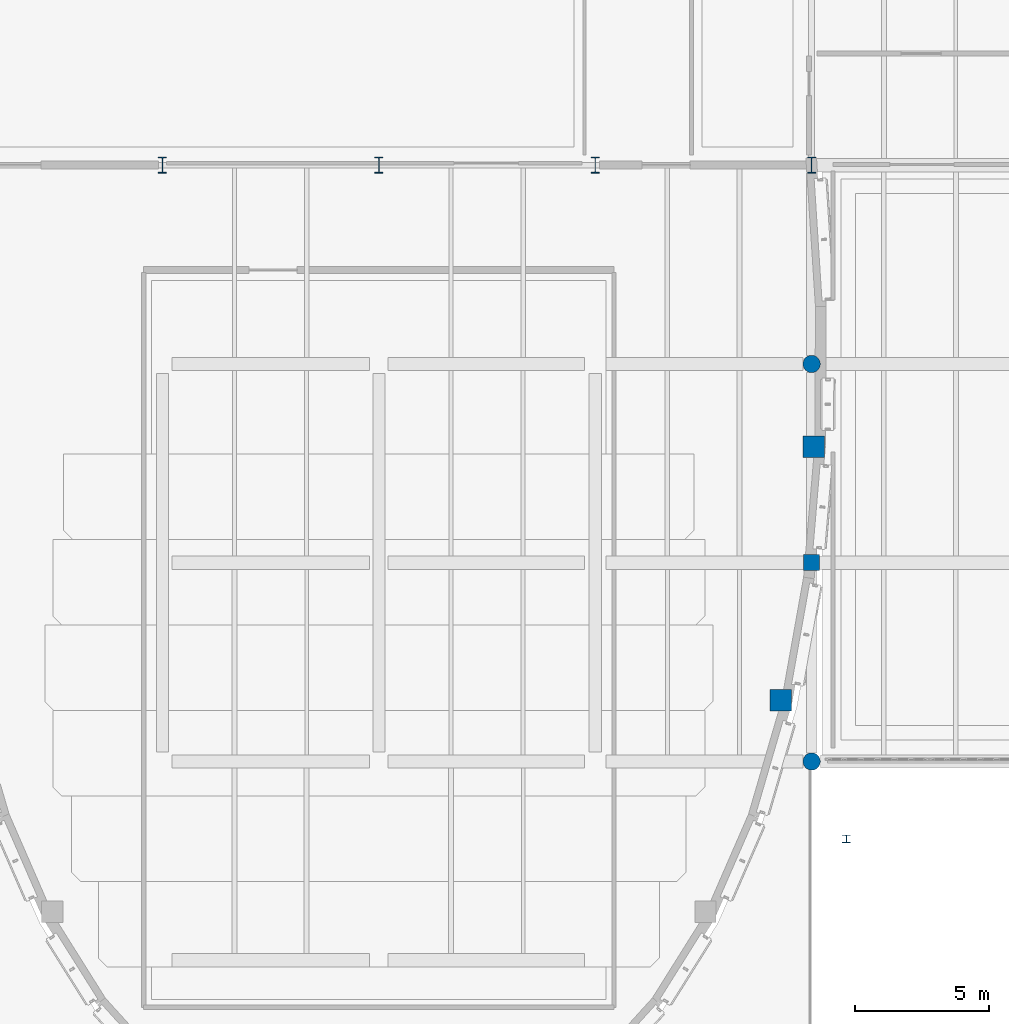
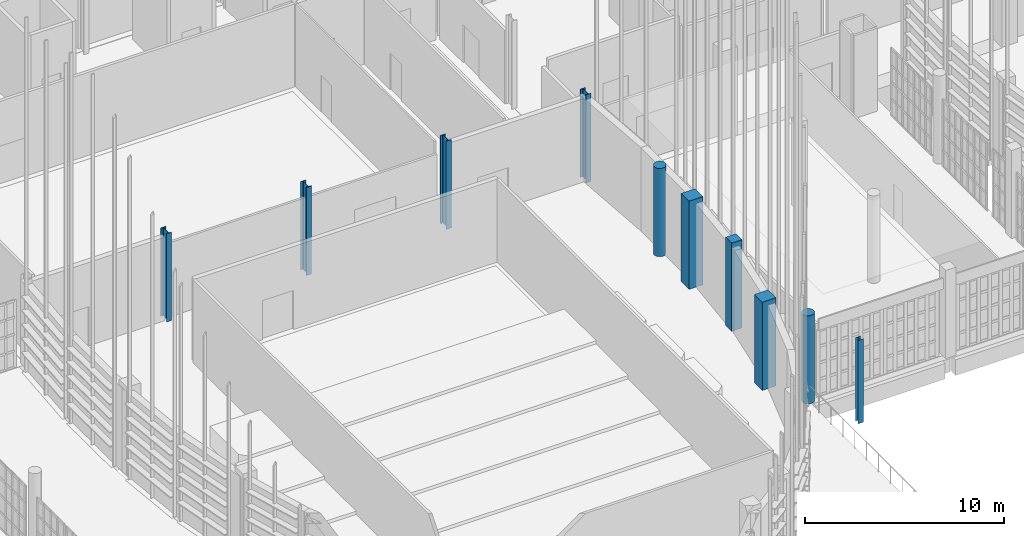
# One storey, part 3 of 372: 10 columns.
"""IFC4 building model written with IfcOpenShell, lengths in metres."""

from ifc_helpers import new_model, si_unit, direction, frame, origin, origin_2d, place, context, subcontext, project, spatial, rectangle, circle, i_section, extrude, material, material_profile, profile_set, type_object, element, save


model = new_model("IFC4")

# Units and contexts
model_context = context("Model", 3, precision=1e-05, world=origin(), true_north=direction((0.0, 1.0)))
body_context = subcontext(model_context, "Body", "Model", "MODEL_VIEW")
ifc_project = project(units=[si_unit("LENGTHUNIT", "METRE"), si_unit("AREAUNIT", "SQUARE_METRE"), si_unit("VOLUMEUNIT", "CUBIC_METRE"), si_unit("PLANEANGLEUNIT", "RADIAN"), si_unit("MASSUNIT", "GRAM", prefix="KILO")], contexts=[model_context])

# Site, building, storey
site_placement = place(None, origin())
site = spatial("IfcSite", under=ifc_project, at=site_placement, CompositionType="ELEMENT")
building_placement = place(site_placement, origin())
building = spatial("IfcBuilding", under=site, at=building_placement, Name="Kaelora Sail Theatre", CompositionType="ELEMENT")
storey_placement = place(building_placement, origin())
storey = spatial("IfcBuildingStorey", under=building, at=storey_placement, Name="L00", CompositionType="ELEMENT", Elevation=0.0)

# Columns
ifc_material_1 = material(Name="Steel S355", Category="steel")
ifc_material_profile_1 = material_profile(ifc_material_1, i_section(OverallWidth=0.300048828125, OverallDepth=0.2900390625, WebThickness=0.008544921875, FlangeThickness=0.013916015625, FilletRadius=0.027099609375, at=origin_2d()), Name="HEA 300")
ifc_profile_set_1 = profile_set([ifc_material_profile_1], Name="Steel S355")
column_type_1 = type_object("IfcColumnType", Name="STR-COL-C-HEA300", PredefinedType="COLUMN", material=ifc_profile_set_1)
column_1_placement = place(storey_placement, frame((59.5, 35.800048828125, 0.0), z_axis=(0.0, 0.0, 1.0), x_axis=(1.0, 0.0, 0.0)))
element("IfcColumn", 1, at=column_1_placement, inside=storey, type_object=column_type_1, Name="Entrance canopy colonnade column W", PredefinedType="COLUMN", context=body_context, shape_type="SweptSolid", body=[
    extrude(i_section(OverallWidth=0.300048828125, OverallDepth=0.2900390625, WebThickness=0.008544921875, FlangeThickness=0.013916015625, FilletRadius=0.027099609375, at=origin_2d()), origin(), (0.0, 0.0, 1.0), 5.10498046875),
])
ifc_material_2 = material(Name="Steel S355", Category="steel")
ifc_material_profile_2 = material_profile(ifc_material_2, i_section(OverallWidth=0.300048828125, OverallDepth=0.60009765625, WebThickness=0.015380859375, FlangeThickness=0.030029296875, FilletRadius=0.027099609375, at=origin_2d()), Name="HEB 600")
ifc_profile_set_2 = profile_set([ifc_material_profile_2], Name="Steel S355")
column_type_2 = type_object("IfcColumnType", Name="STR-COL-C-HEB600", PredefinedType="COLUMN", material=ifc_profile_set_2)
for number, where, z_axis, x_axis, name in (
    (2, (33.89990234375, 61.02001953125, 0.0), (0.0, 0.0, 1.0), (1.0, 0.0, 0.0), "Column 5/I (L00)"),
    (3, (42.0, 61.02001953125, 0.0), (0.0, 0.0, 1.0), (1.0, 0.0, 0.0), "Column 6/I (L00)"),
    (4, (50.10009765625, 61.02001953125, 0.0), (0.0, 0.0, 1.0), (1.0, 0.0, 0.0), "Column 7/I (L00)"),
    (5, (58.199951171875, 61.02001953125, 0.0), (0.0, 0.0, 1.0), (1.0, 0.0, 0.0), "Column 8/I (L00)"),
):
    element("IfcColumn", number, at=place(storey_placement, frame(where, z_axis=z_axis, x_axis=x_axis)), inside=storey, type_object=column_type_2, Name=name, PredefinedType="COLUMN", context=body_context, shape_type="SweptSolid", body=[
        extrude(i_section(OverallWidth=0.300048828125, OverallDepth=0.60009765625, WebThickness=0.015380859375, FlangeThickness=0.030029296875, FilletRadius=0.027099609375, at=origin_2d()), origin(), (0.0, 0.0, 1.0), 5.39990234375),
    ])
ifc_material_3 = material(Name="Concrete C40/50", Category="concrete")
ifc_material_profile_3 = material_profile(ifc_material_3, rectangle(XDim=0.60009765625, YDim=0.60009765625, at=origin_2d()), Name="RC-COL 600x600")
ifc_profile_set_3 = profile_set([ifc_material_profile_3], Name="Concrete C40/50")
column_type_3 = type_object("IfcColumnType", Name="STR-COL-C-RC600", PredefinedType="COLUMN", material=ifc_profile_set_3)
column_2_placement = place(storey_placement, frame((58.199951171875, 46.139892578125, 0.0), z_axis=(0.0, 0.0, 1.0), x_axis=(1.0, 0.0, 0.0)))
element("IfcColumn", 6, at=column_2_placement, inside=storey, type_object=column_type_3, Name="Column 8/G (L00)", PredefinedType="COLUMN", context=body_context, shape_type="SweptSolid", body=[
    extrude(rectangle(XDim=0.60009765625, YDim=0.60009765625, at=origin_2d()), origin(), (0.0, 0.0, 1.0), 5.39990234375),
])
ifc_material_4 = material(Name="Concrete C50/60", Category="concrete")
ifc_material_profile_4 = material_profile(ifc_material_4, rectangle(XDim=0.800048828125, YDim=0.800048828125, at=origin_2d()), Name="RC-COL 800x800")
ifc_profile_set_4 = profile_set([ifc_material_profile_4], Name="Concrete C50/60")
column_type_4 = type_object("IfcColumnType", Name="STR-COL-C-RC800", PredefinedType="COLUMN", material=ifc_profile_set_4)
for number, where, z_axis, x_axis, name in (
    (7, (58.28369140625, 50.482421875, 0.0), (0.0, 0.0, 1.0), (1.0, 0.0, 0.0), "Main drum perimeter column MK02 (L00)"),
    (8, (57.040283203125, 40.99072265625, 0.0), (0.0, 0.0, 1.0), (1.0, 0.0, 0.0), "Main drum perimeter column MK04 (L00)"),
):
    element("IfcColumn", number, at=place(storey_placement, frame(where, z_axis=z_axis, x_axis=x_axis)), inside=storey, type_object=column_type_4, Name=name, PredefinedType="COLUMN", context=body_context, shape_type="SweptSolid", body=[
        extrude(rectangle(XDim=0.800048828125, YDim=0.800048828125, at=origin_2d()), origin(), (0.0, 0.0, 1.0), 5.39990234375),
    ])
ifc_material_5 = material(Name="Concrete C45/55", Category="concrete")
ifc_material_profile_5 = material_profile(ifc_material_5, circle(Radius=0.324951171875, at=origin_2d()), Name="RC-CCOL D650")
ifc_profile_set_5 = profile_set([ifc_material_profile_5], Name="Concrete C45/55")
column_type_5 = type_object("IfcColumnType", Name="STR-COL-C-RCD650", PredefinedType="COLUMN", material=ifc_profile_set_5)
for number, where, z_axis, x_axis, name in (
    (9, (58.199951171875, 38.699951171875, 0.0), (0.0, 0.0, 1.0), (1.0, 0.0, 0.0), "Column 8/F (L00)"),
    (10, (58.199951171875, 53.580078125, 0.0), (0.0, 0.0, 1.0), (1.0, 0.0, 0.0), "Column 8/H (L00)"),
):
    element("IfcColumn", number, at=place(storey_placement, frame(where, z_axis=z_axis, x_axis=x_axis)), inside=storey, type_object=column_type_5, Name=name, PredefinedType="COLUMN", context=body_context, shape_type="SweptSolid", body=[
        extrude(circle(Radius=0.324951171875, at=origin_2d()), origin(), (0.0, 0.0, 1.0), 5.39990234375),
    ])

save(model, "model.ifc")
